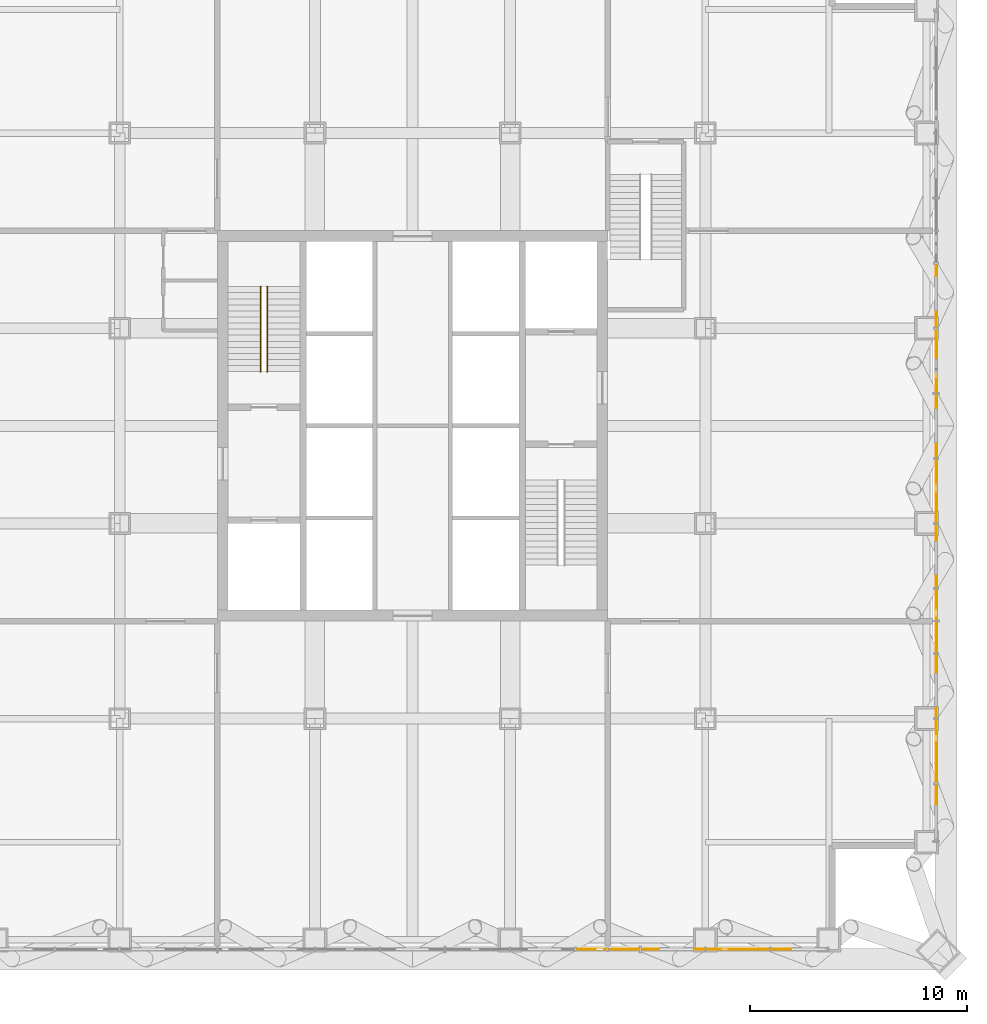
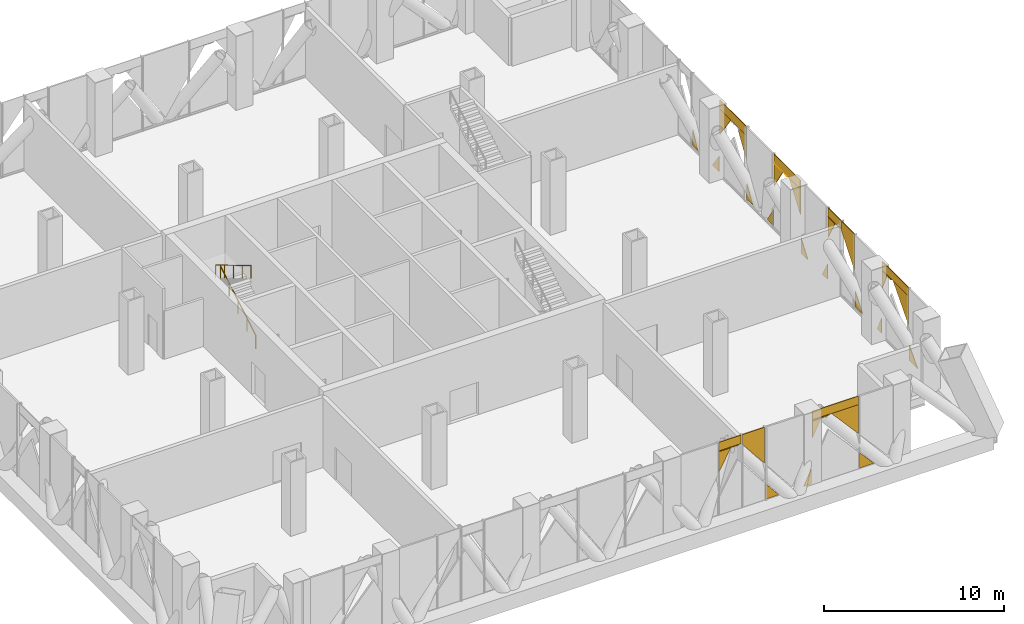
# One storey, part 17 of 29: 35 coverings, 2 railings.
"""IFC4 building model written with IfcOpenShell, lengths in metres."""

from ifc_helpers import new_model, si_unit, direction, frame, origin, origin_2d, place, context, subcontext, project, spatial, polyline, circle, outline, extrude, material, layer, layer_set, type_object, element, save


model = new_model("IFC4")

# Units and contexts
model_context = context("Model", 3, precision=1e-05, world=origin(), true_north=direction((0.0, 1.0)))
body_context = subcontext(model_context, "Body", "Model", "MODEL_VIEW")
ifc_project = project(units=[si_unit("LENGTHUNIT", "METRE"), si_unit("AREAUNIT", "SQUARE_METRE"), si_unit("VOLUMEUNIT", "CUBIC_METRE"), si_unit("PLANEANGLEUNIT", "RADIAN"), si_unit("MASSUNIT", "GRAM", prefix="KILO")], contexts=[model_context])

# Site, building, storey
site_placement = place(None, origin())
site = spatial("IfcSite", under=ifc_project, at=site_placement, CompositionType="ELEMENT")
building_placement = place(site_placement, origin())
building = spatial("IfcBuilding", under=site, at=building_placement, Name="Malebo Sky Hospital", CompositionType="ELEMENT")
storey_placement = place(building_placement, frame((0.0, 0.0, 172.0)))
storey = spatial("IfcBuildingStorey", under=building, at=storey_placement, Name="L41", CompositionType="ELEMENT", Elevation=172.0)

# Coverings
ifc_material_1 = material(Name="Anodised aluminium, natural silver insulated infill panel", Category="aluminium")
ifc_layer = layer(ifc_material_1, 0.0400390625)
ifc_layer_set = layer_set([ifc_layer], Name="BRACE INFILL PANEL 40")
covering_type = type_object("IfcCoveringType", Name="BRACE INFILL PANEL 40", PredefinedType="CLADDING", material=ifc_layer_set)
covering_1_placement = place(storey_placement, frame((77.001953125, 37.864990234375, 0.10009765625), z_axis=(0.0, 0.0, 1.0), x_axis=(-1.0, 0.0, 0.0)))
element("IfcCovering", 1, at=covering_1_placement, inside=storey, type_object=covering_type, Name="Brace infill panel 1.1", PredefinedType="CLADDING", context=body_context, shape_type="SweptSolid", body=[
    extrude(outline(polyline([(-0.46435546875, 0.0), (0.46435546875, 0.0), (0.46435546875, 1.052978515625), (-0.46435546875, 0.0)])), frame((0.0, 0.02001953125, 0.0), z_axis=(0.0, -1.0, 0.0), x_axis=(1.0, 0.0, 0.0)), (0.0, 0.0, 1.0), 0.0400390625),
])
covering_2_placement = place(storey_placement, frame((75.602783203125, 37.864990234375, 2.46923828125), z_axis=(0.0, 0.0, 1.0), x_axis=(-1.0, 0.0, 0.0)))
element("IfcCovering", 2, at=covering_2_placement, inside=storey, type_object=covering_type, Name="Brace infill panel 2.1", PredefinedType="CLADDING", context=body_context, shape_type="SweptSolid", body=[
    extrude(outline(polyline([(-0.85986328125, 0.0), (0.859619140625, 1.94970703125), (-0.85986328125, 1.94970703125), (-0.85986328125, 0.0)])), frame((0.0, 0.02001953125, 0.0), z_axis=(0.0, -1.0, 0.0), x_axis=(1.0, 0.0, 0.0)), (0.0, 0.0, 1.0), 0.0400390625),
])
covering_3_placement = place(storey_placement, frame((73.810791015625, 37.864990234375, 3.1884765625), z_axis=(0.0, 0.0, 1.0), x_axis=(-1.0, 0.0, 0.0)))
element("IfcCovering", 3, at=covering_3_placement, inside=storey, type_object=covering_type, Name="Brace infill panel 2.2", PredefinedType="CLADDING", context=body_context, shape_type="SweptSolid", body=[
    extrude(outline(polyline([(0.2734375, 0.0), (0.2734375, 1.1640625), (-0.2734375, 1.1640625), (0.2734375, 0.0)])), frame((0.0, 0.02001953125, 0.0), z_axis=(0.0, -1.0, 0.0), x_axis=(1.0, 0.0, 0.0)), (0.0, 0.0, 1.0), 0.0400390625),
])
covering_4_placement = place(storey_placement, frame((75.0, 37.864990234375, 4.419189453125), z_axis=(0.0, 0.0, 1.0), x_axis=(-1.0, 0.0, 0.0)))
element("IfcCovering", 4, at=covering_4_placement, inside=storey, type_object=covering_type, Name="Brace infill panel 2.3", PredefinedType="CLADDING", context=body_context, shape_type="SweptSolid", body=[
    extrude(outline(polyline([(-1.46240234375, 0.0), (1.46240234375, 0.0), (1.46240234375, 0.57080078125), (-1.46240234375, 0.57080078125), (-1.46240234375, 0.0)])), frame((0.0, 0.02001953125, 0.0), z_axis=(0.0, -1.0, 0.0), x_axis=(1.0, 0.0, 0.0)), (0.0, 0.0, 1.0), 0.0400390625),
])
covering_5_placement = place(storey_placement, frame((74.0791015625, 37.864990234375, 4.3525390625), z_axis=(0.0, 0.0, 1.0), x_axis=(-1.0, 0.0, 0.0)))
element("IfcCovering", 5, at=covering_5_placement, inside=storey, type_object=covering_type, Name="Brace infill panel 2.5", PredefinedType="CLADDING", context=body_context, shape_type="SweptSolid", body=[
    extrude(outline(polyline([(-0.441162109375, 0.0), (0.54150390625, 0.0), (0.54150390625, 0.066650390625), (-0.54150390625, 0.066650390625), (-0.441162109375, 0.0)])), frame((0.0, 0.02001953125, 0.0), z_axis=(0.0, -1.0, 0.0), x_axis=(1.0, 0.0, 0.0)), (0.0, 0.0, 1.0), 0.0400390625),
])
covering_6_placement = place(storey_placement, frame((73.222900390625, 37.864990234375, 0.10009765625), z_axis=(0.0, 0.0, 1.0), x_axis=(-1.0, 0.0, 0.0)))
element("IfcCovering", 6, at=covering_6_placement, inside=storey, type_object=covering_type, Name="Brace infill panel 3.1", PredefinedType="CLADDING", context=body_context, shape_type="SweptSolid", body=[
    extrude(outline(polyline([(-0.23974609375, 0.0), (0.239501953125, 0.0), (-0.23974609375, 1.020263671875), (-0.23974609375, 0.0)])), frame((0.0, 0.02001953125, 0.0), z_axis=(0.0, -1.0, 0.0), x_axis=(1.0, 0.0, 0.0)), (0.0, 0.0, 1.0), 0.0400390625),
])
covering_7_placement = place(storey_placement, frame((70.957275390625, 37.864990234375, 0.099853515625), z_axis=(0.0, 0.0, 1.0), x_axis=(-1.0, 0.0, 0.0)))
element("IfcCovering", 7, at=covering_7_placement, inside=storey, type_object=covering_type, Name="Brace infill panel 3.2", PredefinedType="CLADDING", context=body_context, shape_type="SweptSolid", body=[
    extrude(outline(polyline([(-0.419921875, 0.0), (0.419921875, 0.0), (0.419921875, 1.05029296875), (-0.419921875, 0.0)])), frame((0.0, 0.02001953125, 0.0), z_axis=(0.0, -1.0, 0.0), x_axis=(1.0, 0.0, 0.0)), (0.0, 0.0, 1.0), 0.0400390625),
])
covering_8_placement = place(storey_placement, frame((69.75, 37.864990234375, 2.552978515625), z_axis=(0.0, 0.0, 1.0), x_axis=(-1.0, 0.0, 0.0)))
element("IfcCovering", 8, at=covering_8_placement, inside=storey, type_object=covering_type, Name="Brace infill panel 4.1", PredefinedType="CLADDING", context=body_context, shape_type="SweptSolid", body=[
    extrude(outline(polyline([(-0.71240234375, 0.0), (0.71240234375, 1.782470703125), (0.71240234375, 2.43701171875), (-0.71240234375, 2.43701171875), (-0.71240234375, 0.0)])), frame((0.0, 0.02001953125, 0.0), z_axis=(0.0, -1.0, 0.0), x_axis=(1.0, 0.0, 0.0)), (0.0, 0.0, 1.0), 0.0400390625),
])
covering_9_placement = place(storey_placement, frame((67.926513671875, 37.864990234375, 2.95947265625), z_axis=(0.0, 0.0, 1.0), x_axis=(-1.0, 0.0, 0.0)))
element("IfcCovering", 9, at=covering_9_placement, inside=storey, type_object=covering_type, Name="Brace infill panel 5.1", PredefinedType="CLADDING", context=body_context, shape_type="SweptSolid", body=[
    extrude(outline(polyline([(0.388916015625, 0.0), (0.388916015625, 1.408447265625), (-0.388916015625, 1.408447265625), (0.388916015625, 0.0)])), frame((0.0, 0.02001953125, 0.0), z_axis=(0.0, -1.0, 0.0), x_axis=(1.0, 0.0, 0.0)), (0.0, 0.0, 1.0), 0.0400390625),
])
covering_10_placement = place(storey_placement, frame((68.25, 37.864990234375, 4.407958984375), z_axis=(0.0, 0.0, 1.0), x_axis=(-1.0, 0.0, 0.0)))
element("IfcCovering", 10, at=covering_10_placement, inside=storey, type_object=covering_type, Name="Brace infill panel 5.2", PredefinedType="CLADDING", context=body_context, shape_type="SweptSolid", body=[
    extrude(outline(polyline([(-0.71240234375, 0.0), (0.71240234375, 0.0), (0.71240234375, 0.58203125), (-0.71240234375, 0.58203125), (-0.71240234375, 0.0)])), frame((0.0, 0.02001953125, 0.0), z_axis=(0.0, -1.0, 0.0), x_axis=(1.0, 0.0, 0.0)), (0.0, 0.0, 1.0), 0.0400390625),
])
covering_11_placement = place(storey_placement, frame((68.192626953125, 37.864990234375, 4.36767578125), z_axis=(0.0, 0.0, 1.0), x_axis=(-1.0, 0.0, 0.0)))
element("IfcCovering", 11, at=covering_11_placement, inside=storey, type_object=covering_type, Name="Brace infill panel 5.4", PredefinedType="CLADDING", context=body_context, shape_type="SweptSolid", body=[
    extrude(outline(polyline([(-0.5888671875, 0.0), (0.6552734375, 0.0), (0.6552734375, 0.040283203125), (-0.6552734375, 0.040283203125), (-0.5888671875, 0.0)])), frame((0.0, 0.02001953125, 0.0), z_axis=(0.0, -1.0, 0.0), x_axis=(1.0, 0.0, 0.0)), (0.0, 0.0, 1.0), 0.0400390625),
])
covering_12_placement = place(storey_placement, frame((84.135009765625, 69.177978515625, 0.10009765625), z_axis=(0.0, 0.0, 1.0), x_axis=(0.0, -1.0, 0.0)))
element("IfcCovering", 12, at=covering_12_placement, inside=storey, type_object=covering_type, Name="Brace infill panel 6.1", PredefinedType="CLADDING", context=body_context, shape_type="SweptSolid", body=[
    extrude(outline(polyline([(-0.284423828125, 0.0), (0.284423828125, 0.0), (-0.284423828125, 1.0302734375), (-0.284423828125, 0.0)])), frame((0.0, 0.02001953125, 0.0), z_axis=(0.0, -1.0, 0.0), x_axis=(1.0, 0.0, 0.0)), (0.0, 0.0, 1.0), 0.0400390625),
])
covering_13_placement = place(storey_placement, frame((84.135009765625, 66.912353515625, 0.10009765625), z_axis=(0.0, 0.0, 1.0), x_axis=(0.0, -1.0, 0.0)))
element("IfcCovering", 13, at=covering_13_placement, inside=storey, type_object=covering_type, Name="Brace infill panel 6.2", PredefinedType="CLADDING", context=body_context, shape_type="SweptSolid", body=[
    extrude(outline(polyline([(-0.374755859375, 0.0), (0.374755859375, 0.0), (0.374755859375, 1.04541015625), (-0.374755859375, 0.0)])), frame((0.0, 0.02001953125, 0.0), z_axis=(0.0, -1.0, 0.0), x_axis=(1.0, 0.0, 0.0)), (0.0, 0.0, 1.0), 0.0400390625),
])
covering_14_placement = place(storey_placement, frame((84.135009765625, 65.839111328125, 2.65673828125), z_axis=(0.0, 0.0, 1.0), x_axis=(0.0, -1.0, 0.0)))
element("IfcCovering", 14, at=covering_14_placement, inside=storey, type_object=covering_type, Name="Brace infill panel 7.1", PredefinedType="CLADDING", context=body_context, shape_type="SweptSolid", body=[
    extrude(outline(polyline([(-0.62353515625, 0.0), (0.623291015625, 1.739013671875), (-0.62353515625, 1.739013671875), (-0.62353515625, 0.0)])), frame((0.0, 0.02001953125, 0.0), z_axis=(0.0, -1.0, 0.0), x_axis=(1.0, 0.0, 0.0)), (0.0, 0.0, 1.0), 0.0400390625),
])
covering_15_placement = place(storey_placement, frame((84.135009765625, 63.965087890625, 2.78857421875), z_axis=(0.0, 0.0, 1.0), x_axis=(0.0, -1.0, 0.0)))
element("IfcCovering", 15, at=covering_15_placement, inside=storey, type_object=covering_type, Name="Brace infill panel 7.2", PredefinedType="CLADDING", context=body_context, shape_type="SweptSolid", body=[
    extrude(outline(polyline([(0.427734375, 0.0), (0.427734375, 1.607177734375), (-0.24169921875, 1.607177734375), (-0.427734375, 1.347900390625), (0.427734375, 0.0)])), frame((0.0, 0.02001953125, 0.0), z_axis=(0.0, -1.0, 0.0), x_axis=(1.0, 0.0, 0.0)), (0.0, 0.0, 1.0), 0.0400390625),
])
covering_16_placement = place(storey_placement, frame((84.135009765625, 65.0, 4.3955078125), z_axis=(0.0, 0.0, 1.0), x_axis=(0.0, -1.0, 0.0)))
element("IfcCovering", 16, at=covering_16_placement, inside=storey, type_object=covering_type, Name="Brace infill panel 7.3", PredefinedType="CLADDING", context=body_context, shape_type="SweptSolid", body=[
    extrude(outline(polyline([(-1.46240234375, 0.0), (1.46240234375, 0.0), (1.46240234375, 0.594482421875), (-1.46240234375, 0.594482421875), (-1.46240234375, 0.0)])), frame((0.0, 0.02001953125, 0.0), z_axis=(0.0, -1.0, 0.0), x_axis=(1.0, 0.0, 0.0)), (0.0, 0.0, 1.0), 0.0400390625),
])
covering_17_placement = place(storey_placement, frame((84.135009765625, 63.1328125, 0.10009765625), z_axis=(0.0, 0.0, 1.0), x_axis=(0.0, -1.0, 0.0)))
element("IfcCovering", 17, at=covering_17_placement, inside=storey, type_object=covering_type, Name="Brace infill panel 8.1", PredefinedType="CLADDING", context=body_context, shape_type="SweptSolid", body=[
    extrude(outline(polyline([(-0.32958984375, 0.0), (0.32958984375, 0.0), (-0.32958984375, 1.038818359375), (-0.32958984375, 0.0)])), frame((0.0, 0.02001953125, 0.0), z_axis=(0.0, -1.0, 0.0), x_axis=(1.0, 0.0, 0.0)), (0.0, 0.0, 1.0), 0.0400390625),
])
covering_18_placement = place(storey_placement, frame((84.135009765625, 60.8671875, 0.10009765625), z_axis=(0.0, 0.0, 1.0), x_axis=(0.0, -1.0, 0.0)))
element("IfcCovering", 18, at=covering_18_placement, inside=storey, type_object=covering_type, Name="Brace infill panel 8.2", PredefinedType="CLADDING", context=body_context, shape_type="SweptSolid", body=[
    extrude(outline(polyline([(-0.32958984375, 0.0), (0.32958984375, 0.0), (0.32958984375, 1.038818359375), (-0.32958984375, 0.0)])), frame((0.0, 0.02001953125, 0.0), z_axis=(0.0, -1.0, 0.0), x_axis=(1.0, 0.0, 0.0)), (0.0, 0.0, 1.0), 0.0400390625),
])
covering_19_placement = place(storey_placement, frame((84.135009765625, 58.160888671875, 2.65673828125), z_axis=(0.0, 0.0, 1.0), x_axis=(0.0, -1.0, 0.0)))
element("IfcCovering", 19, at=covering_19_placement, inside=storey, type_object=covering_type, Name="Brace infill panel 9.1", PredefinedType="CLADDING", context=body_context, shape_type="SweptSolid", body=[
    extrude(outline(polyline([(0.62353515625, 0.0), (0.62353515625, 1.739013671875), (-0.623291015625, 1.739013671875), (0.62353515625, 0.0)])), frame((0.0, 0.02001953125, 0.0), z_axis=(0.0, -1.0, 0.0), x_axis=(1.0, 0.0, 0.0)), (0.0, 0.0, 1.0), 0.0400390625),
])
covering_20_placement = place(storey_placement, frame((84.135009765625, 59.956787109375, 2.788330078125), z_axis=(0.0, 0.0, 1.0), x_axis=(0.0, -1.0, 0.0)))
element("IfcCovering", 20, at=covering_20_placement, inside=storey, type_object=covering_type, Name="Brace infill panel 9.2", PredefinedType="CLADDING", context=body_context, shape_type="SweptSolid", body=[
    extrude(outline(polyline([(-0.505615234375, 0.0), (0.505615234375, 1.59375), (-0.505615234375, 1.59375), (-0.505615234375, 0.0)])), frame((0.0, 0.02001953125, 0.0), z_axis=(0.0, -1.0, 0.0), x_axis=(1.0, 0.0, 0.0)), (0.0, 0.0, 1.0), 0.0400390625),
])
covering_21_placement = place(storey_placement, frame((84.135009765625, 59.0, 4.3955078125), z_axis=(0.0, 0.0, 1.0), x_axis=(0.0, -1.0, 0.0)))
element("IfcCovering", 21, at=covering_21_placement, inside=storey, type_object=covering_type, Name="Brace infill panel 9.3", PredefinedType="CLADDING", context=body_context, shape_type="SweptSolid", body=[
    extrude(outline(polyline([(-1.46240234375, 0.0), (1.46240234375, 0.0), (1.46240234375, 0.594482421875), (-1.46240234375, 0.594482421875), (-1.46240234375, 0.0)])), frame((0.0, 0.02001953125, 0.0), z_axis=(0.0, -1.0, 0.0), x_axis=(1.0, 0.0, 0.0)), (0.0, 0.0, 1.0), 0.0400390625),
])
covering_22_placement = place(storey_placement, frame((84.135009765625, 59.694580078125, 4.38232421875), z_axis=(0.0, 0.0, 1.0), x_axis=(0.0, -1.0, 0.0)))
element("IfcCovering", 22, at=covering_22_placement, inside=storey, type_object=covering_type, Name="Brace infill panel 9.5", PredefinedType="CLADDING", context=body_context, shape_type="SweptSolid", body=[
    extrude(outline(polyline([(-0.767822265625, 0.0), (0.7431640625, 0.0), (0.767578125, 0.013427734375), (-0.767822265625, 0.013427734375), (-0.767822265625, 0.0)])), frame((0.0, 0.02001953125, 0.0), z_axis=(0.0, -1.0, 0.0), x_axis=(1.0, 0.0, 0.0)), (0.0, 0.0, 1.0), 0.0400390625),
])
covering_23_placement = place(storey_placement, frame((84.135009765625, 57.087646484375, 0.10009765625), z_axis=(0.0, 0.0, 1.0), x_axis=(0.0, -1.0, 0.0)))
element("IfcCovering", 23, at=covering_23_placement, inside=storey, type_object=covering_type, Name="Brace infill panel 10.1", PredefinedType="CLADDING", context=body_context, shape_type="SweptSolid", body=[
    extrude(outline(polyline([(-0.374755859375, 0.0), (0.374755859375, 0.0), (-0.374755859375, 1.04541015625), (-0.374755859375, 0.0)])), frame((0.0, 0.02001953125, 0.0), z_axis=(0.0, -1.0, 0.0), x_axis=(1.0, 0.0, 0.0)), (0.0, 0.0, 1.0), 0.0400390625),
])
covering_24_placement = place(storey_placement, frame((84.135009765625, 54.822021484375, 0.10009765625), z_axis=(0.0, 0.0, 1.0), x_axis=(0.0, -1.0, 0.0)))
element("IfcCovering", 24, at=covering_24_placement, inside=storey, type_object=covering_type, Name="Brace infill panel 10.2", PredefinedType="CLADDING", context=body_context, shape_type="SweptSolid", body=[
    extrude(outline(polyline([(-0.284423828125, 0.0), (0.284423828125, 0.0), (0.284423828125, 1.0302734375), (-0.284423828125, 0.0)])), frame((0.0, 0.02001953125, 0.0), z_axis=(0.0, -1.0, 0.0), x_axis=(1.0, 0.0, 0.0)), (0.0, 0.0, 1.0), 0.0400390625),
])
covering_25_placement = place(storey_placement, frame((84.135009765625, 54.073486328125, 2.95947265625), z_axis=(0.0, 0.0, 1.0), x_axis=(0.0, -1.0, 0.0)))
element("IfcCovering", 25, at=covering_25_placement, inside=storey, type_object=covering_type, Name="Brace infill panel 11.1", PredefinedType="CLADDING", context=body_context, shape_type="SweptSolid", body=[
    extrude(outline(polyline([(-0.388916015625, 0.0), (0.388916015625, 1.408447265625), (-0.388916015625, 1.408447265625), (-0.388916015625, 0.0)])), frame((0.0, 0.02001953125, 0.0), z_axis=(0.0, -1.0, 0.0), x_axis=(1.0, 0.0, 0.0)), (0.0, 0.0, 1.0), 0.0400390625),
])
covering_26_placement = place(storey_placement, frame((84.135009765625, 53.75, 4.407958984375), z_axis=(0.0, 0.0, 1.0), x_axis=(0.0, -1.0, 0.0)))
element("IfcCovering", 26, at=covering_26_placement, inside=storey, type_object=covering_type, Name="Brace infill panel 11.2", PredefinedType="CLADDING", context=body_context, shape_type="SweptSolid", body=[
    extrude(outline(polyline([(-0.71240234375, 0.0), (0.71240234375, 0.0), (0.71240234375, 0.58203125), (-0.71240234375, 0.58203125), (-0.71240234375, 0.0)])), frame((0.0, 0.02001953125, 0.0), z_axis=(0.0, -1.0, 0.0), x_axis=(1.0, 0.0, 0.0)), (0.0, 0.0, 1.0), 0.0400390625),
])
covering_27_placement = place(storey_placement, frame((84.135009765625, 53.807373046875, 4.36767578125), z_axis=(0.0, 0.0, 1.0), x_axis=(0.0, -1.0, 0.0)))
element("IfcCovering", 27, at=covering_27_placement, inside=storey, type_object=covering_type, Name="Brace infill panel 11.4", PredefinedType="CLADDING", context=body_context, shape_type="SweptSolid", body=[
    extrude(outline(polyline([(-0.6552734375, 0.0), (0.5888671875, 0.0), (0.6552734375, 0.040283203125), (-0.6552734375, 0.040283203125), (-0.6552734375, 0.0)])), frame((0.0, 0.02001953125, 0.0), z_axis=(0.0, -1.0, 0.0), x_axis=(1.0, 0.0, 0.0)), (0.0, 0.0, 1.0), 0.0400390625),
])
covering_28_placement = place(storey_placement, frame((84.135009765625, 52.25, 2.552978515625), z_axis=(0.0, 0.0, 1.0), x_axis=(0.0, -1.0, 0.0)))
element("IfcCovering", 28, at=covering_28_placement, inside=storey, type_object=covering_type, Name="Brace infill panel 12.1", PredefinedType="CLADDING", context=body_context, shape_type="SweptSolid", body=[
    extrude(outline(polyline([(0.71240234375, 0.0), (0.71240234375, 2.43701171875), (-0.71240234375, 2.43701171875), (-0.71240234375, 1.782470703125), (0.71240234375, 0.0)])), frame((0.0, 0.02001953125, 0.0), z_axis=(0.0, -1.0, 0.0), x_axis=(1.0, 0.0, 0.0)), (0.0, 0.0, 1.0), 0.0400390625),
])
covering_29_placement = place(storey_placement, frame((84.135009765625, 51.042724609375, 0.099853515625), z_axis=(0.0, 0.0, 1.0), x_axis=(0.0, -1.0, 0.0)))
element("IfcCovering", 29, at=covering_29_placement, inside=storey, type_object=covering_type, Name="Brace infill panel 13.1", PredefinedType="CLADDING", context=body_context, shape_type="SweptSolid", body=[
    extrude(outline(polyline([(-0.419921875, 0.0), (0.419921875, 0.0), (-0.419921875, 1.05029296875), (-0.419921875, 0.0)])), frame((0.0, 0.02001953125, 0.0), z_axis=(0.0, -1.0, 0.0), x_axis=(1.0, 0.0, 0.0)), (0.0, 0.0, 1.0), 0.0400390625),
])
covering_30_placement = place(storey_placement, frame((84.135009765625, 48.777099609375, 0.10009765625), z_axis=(0.0, 0.0, 1.0), x_axis=(0.0, -1.0, 0.0)))
element("IfcCovering", 30, at=covering_30_placement, inside=storey, type_object=covering_type, Name="Brace infill panel 13.2", PredefinedType="CLADDING", context=body_context, shape_type="SweptSolid", body=[
    extrude(outline(polyline([(-0.239501953125, 0.0), (0.23974609375, 0.0), (0.23974609375, 1.020263671875), (-0.239501953125, 0.0)])), frame((0.0, 0.02001953125, 0.0), z_axis=(0.0, -1.0, 0.0), x_axis=(1.0, 0.0, 0.0)), (0.0, 0.0, 1.0), 0.0400390625),
])
covering_31_placement = place(storey_placement, frame((84.135009765625, 46.397216796875, 2.46923828125), z_axis=(0.0, 0.0, 1.0), x_axis=(0.0, -1.0, 0.0)))
element("IfcCovering", 31, at=covering_31_placement, inside=storey, type_object=covering_type, Name="Brace infill panel 14.1", PredefinedType="CLADDING", context=body_context, shape_type="SweptSolid", body=[
    extrude(outline(polyline([(0.85986328125, 0.0), (0.85986328125, 1.94970703125), (-0.859619140625, 1.94970703125), (0.85986328125, 0.0)])), frame((0.0, 0.02001953125, 0.0), z_axis=(0.0, -1.0, 0.0), x_axis=(1.0, 0.0, 0.0)), (0.0, 0.0, 1.0), 0.0400390625),
])
covering_32_placement = place(storey_placement, frame((84.135009765625, 48.189208984375, 3.1884765625), z_axis=(0.0, 0.0, 1.0), x_axis=(0.0, -1.0, 0.0)))
element("IfcCovering", 32, at=covering_32_placement, inside=storey, type_object=covering_type, Name="Brace infill panel 14.2", PredefinedType="CLADDING", context=body_context, shape_type="SweptSolid", body=[
    extrude(outline(polyline([(-0.2734375, 0.0), (0.2734375, 1.1640625), (-0.2734375, 1.1640625), (-0.2734375, 0.0)])), frame((0.0, 0.02001953125, 0.0), z_axis=(0.0, -1.0, 0.0), x_axis=(1.0, 0.0, 0.0)), (0.0, 0.0, 1.0), 0.0400390625),
])
covering_33_placement = place(storey_placement, frame((84.135009765625, 47.0, 4.419189453125), z_axis=(0.0, 0.0, 1.0), x_axis=(0.0, -1.0, 0.0)))
element("IfcCovering", 33, at=covering_33_placement, inside=storey, type_object=covering_type, Name="Brace infill panel 14.3", PredefinedType="CLADDING", context=body_context, shape_type="SweptSolid", body=[
    extrude(outline(polyline([(-1.46240234375, 0.0), (1.46240234375, 0.0), (1.46240234375, 0.57080078125), (-1.46240234375, 0.57080078125), (-1.46240234375, 0.0)])), frame((0.0, 0.02001953125, 0.0), z_axis=(0.0, -1.0, 0.0), x_axis=(1.0, 0.0, 0.0)), (0.0, 0.0, 1.0), 0.0400390625),
])
covering_34_placement = place(storey_placement, frame((84.135009765625, 47.9208984375, 4.3525390625), z_axis=(0.0, 0.0, 1.0), x_axis=(0.0, -1.0, 0.0)))
element("IfcCovering", 34, at=covering_34_placement, inside=storey, type_object=covering_type, Name="Brace infill panel 14.5", PredefinedType="CLADDING", context=body_context, shape_type="SweptSolid", body=[
    extrude(outline(polyline([(-0.54150390625, 0.0), (0.441162109375, 0.0), (0.54150390625, 0.066650390625), (-0.54150390625, 0.066650390625), (-0.54150390625, 0.0)])), frame((0.0, 0.02001953125, 0.0), z_axis=(0.0, -1.0, 0.0), x_axis=(1.0, 0.0, 0.0)), (0.0, 0.0, 1.0), 0.0400390625),
])
covering_35_placement = place(storey_placement, frame((84.135009765625, 44.998046875, 0.10009765625), z_axis=(0.0, 0.0, 1.0), x_axis=(0.0, -1.0, 0.0)))
element("IfcCovering", 35, at=covering_35_placement, inside=storey, type_object=covering_type, Name="Brace infill panel 15.1", PredefinedType="CLADDING", context=body_context, shape_type="SweptSolid", body=[
    extrude(outline(polyline([(-0.46435546875, 0.0), (0.46435546875, 0.0), (-0.46435546875, 1.052978515625), (-0.46435546875, 0.0)])), frame((0.0, 0.02001953125, 0.0), z_axis=(0.0, -1.0, 0.0), x_axis=(1.0, 0.0, 0.0)), (0.0, 0.0, 1.0), 0.0400390625),
])

# Railings
ifc_material_2 = material(Name="Stainless steel tube", Category="steel")
railing_type = type_object("IfcRailingType", Name="STAIR HANDRAIL 900", PredefinedType="HANDRAIL", material=ifc_material_2)
railing_1_placement = place(storey_placement, frame((53.300048828125, 64.5, 0.166748046875)))
element("IfcRailing", 36, at=railing_1_placement, inside=storey, type_object=railing_type, Name="Stair handrail S1 flight 1", PredefinedType="HANDRAIL", context=body_context, shape_type="SweptSolid", body=[
    extrude(circle(Radius=0.02392578125, at=origin_2d()), frame((0.0, 0.0, 0.8759765625), z_axis=(0.0, 0.859296244711, 0.511478214419), x_axis=(-1.0, 0.0, 0.0)), (0.0, 0.0, 1.0), 4.561767578125),
    extrude(circle(Radius=0.02099609375, at=origin_2d()), origin(), (0.0, 0.0, 1.0), 0.851806640625),
    extrude(circle(Radius=0.02099609375, at=origin_2d()), frame((0.0, 0.97998046875, 0.583251953125)), (0.0, 0.0, 1.0), 0.851806640625),
    extrude(circle(Radius=0.02099609375, at=origin_2d()), frame((0.0, 1.9599609375, 1.16650390625)), (0.0, 0.0, 1.0), 0.851806640625),
    extrude(circle(Radius=0.02099609375, at=origin_2d()), frame((0.0, 2.93994140625, 1.75)), (0.0, 0.0, 1.0), 0.851806640625),
    extrude(circle(Radius=0.02099609375, at=origin_2d()), frame((0.0, 3.919921875, 2.333251953125)), (0.0, 0.0, 1.0), 0.851806640625),
])
railing_2_placement = place(storey_placement, frame((53.0, 68.419921875, 2.666748046875)))
element("IfcRailing", 37, at=railing_2_placement, inside=storey, type_object=railing_type, Name="Stair handrail S1 flight 2", PredefinedType="HANDRAIL", context=body_context, shape_type="SweptSolid", body=[
    extrude(circle(Radius=0.02392578125, at=origin_2d()), frame((0.0, 0.0, 0.8759765625), z_axis=(0.0, -0.859296244711, 0.511478214419), x_axis=(1.0, 0.0, 0.0)), (0.0, 0.0, 1.0), 4.561767578125),
    extrude(circle(Radius=0.02099609375, at=origin_2d()), origin(), (0.0, 0.0, 1.0), 0.851806640625),
    extrude(circle(Radius=0.02099609375, at=origin_2d()), frame((0.0, -0.97998046875, 0.583251953125)), (0.0, 0.0, 1.0), 0.851806640625),
    extrude(circle(Radius=0.02099609375, at=origin_2d()), frame((0.0, -1.9599609375, 1.16650390625)), (0.0, 0.0, 1.0), 0.851806640625),
    extrude(circle(Radius=0.02099609375, at=origin_2d()), frame((0.0, -2.93994140625, 1.75)), (0.0, 0.0, 1.0), 0.851806640625),
    extrude(circle(Radius=0.02099609375, at=origin_2d()), frame((0.0, -3.919921875, 2.333251953125)), (0.0, 0.0, 1.0), 0.851806640625),
])

save(model, "model.ifc")
